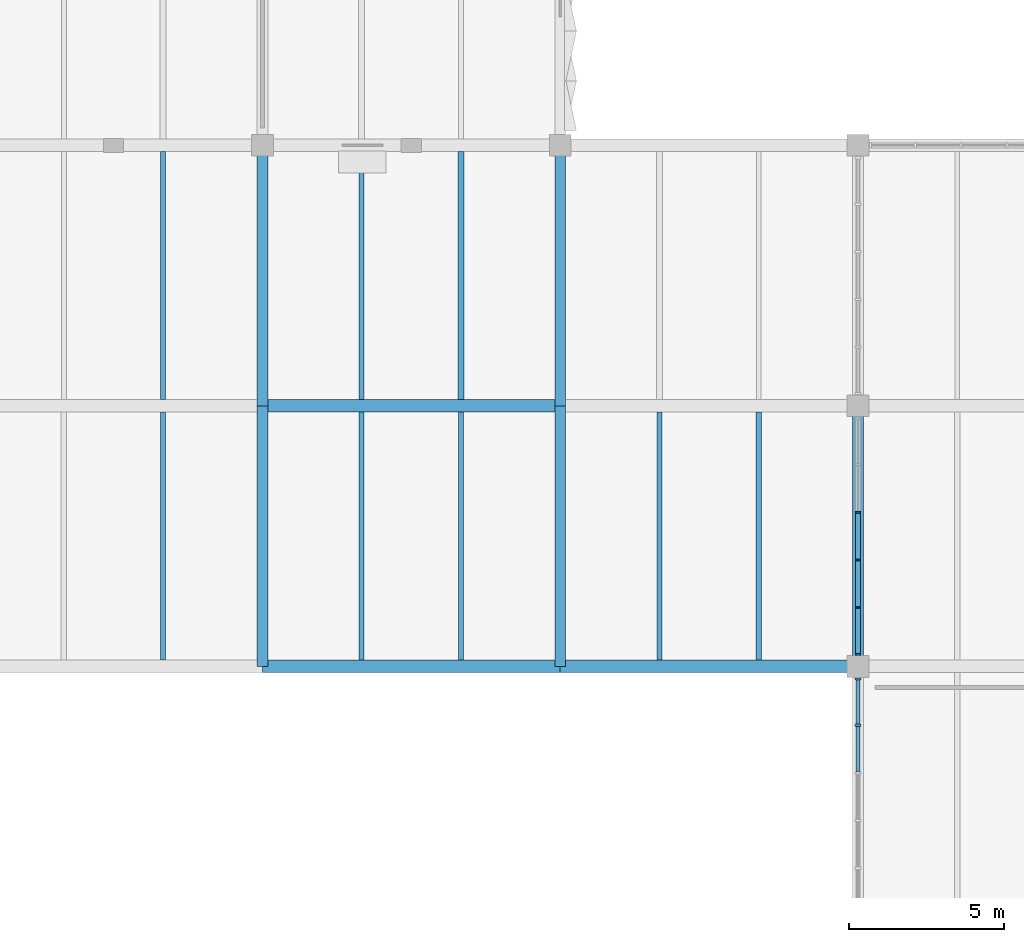
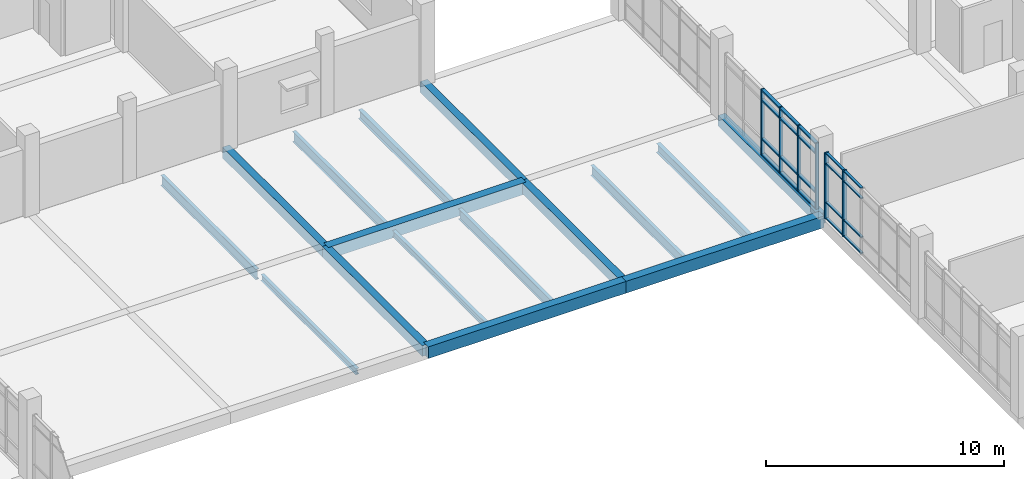
# One storey, part 16 of 57: 26 members, 16 beams, 2 elements without a shape of their own.
"""IFC4 building model written with IfcOpenShell, lengths in metres."""

from ifc_helpers import new_model, si_unit, direction, frame, origin, origin_2d, place, context, subcontext, project, spatial, rectangle, i_section, extrude, material, material_profile, profile_set, type_object, element, aggregate, save


model = new_model("IFC4")

# Units and contexts
model_context = context("Model", 3, precision=1e-05, world=origin(), true_north=direction((0.0, 1.0)))
body_context = subcontext(model_context, "Body", "Model", "MODEL_VIEW")
ifc_project = project(units=[si_unit("LENGTHUNIT", "METRE"), si_unit("AREAUNIT", "SQUARE_METRE"), si_unit("VOLUMEUNIT", "CUBIC_METRE"), si_unit("PLANEANGLEUNIT", "RADIAN"), si_unit("MASSUNIT", "GRAM", prefix="KILO")], contexts=[model_context])

# Site, building, storey
site_placement = place(None, origin())
site = spatial("IfcSite", under=ifc_project, at=site_placement, CompositionType="ELEMENT")
building_placement = place(site_placement, origin())
building = spatial("IfcBuilding", under=site, at=building_placement, Name="Oolite Switchyard Hospital", CompositionType="ELEMENT")
storey_placement = place(building_placement, frame((0.0, 0.0, 17.800048828125)))
storey = spatial("IfcBuildingStorey", under=building, at=storey_placement, Name="L04", CompositionType="ELEMENT", Elevation=17.800048828125)

# Beams
ifc_material_1 = material(Name="Concrete C40/50", Category="concrete")
ifc_material_profile_1 = material_profile(ifc_material_1, rectangle(XDim=0.35009765625, YDim=0.550048828125, at=origin_2d()), Name="RCB350X550")
ifc_profile_set_1 = profile_set([ifc_material_profile_1], Name="Concrete C40/50")
beam_type_1 = type_object("IfcBeamType", Name="BM-RC350X550", PredefinedType="BEAM", material=ifc_profile_set_1)
beam_1_placement = place(storey_placement, frame((163.199951171875, 58.800048828125, -0.275146484375), z_axis=(0.0, 1.0, 0.0), x_axis=(-1.0, 0.0, 0.0)))
element("IfcBeam", 1, at=beam_1_placement, inside=storey, type_object=beam_type_1, Name="L04 Y-Girder 3019", PredefinedType="BEAM", context=body_context, shape_type="SweptSolid", body=[
    extrude(rectangle(XDim=0.35009765625, YDim=0.550048828125, at=origin_2d()), origin(), (0.0, 0.0, 1.0), 8.39990234375),
])
beam_2_placement = place(storey_placement, frame((163.199951171875, 67.199951171875, -0.275146484375), z_axis=(0.0, 1.0, 0.0), x_axis=(-1.0, 0.0, 0.0)))
element("IfcBeam", 2, at=beam_2_placement, inside=storey, type_object=beam_type_1, Name="L04 Y-Girder 3020", PredefinedType="BEAM", context=body_context, shape_type="SweptSolid", body=[
    extrude(rectangle(XDim=0.35009765625, YDim=0.550048828125, at=origin_2d()), origin(), (0.0, 0.0, 1.0), 8.400146484375),
])
beam_3_placement = place(storey_placement, frame((172.800048828125, 58.800048828125, -0.275146484375), z_axis=(0.0, 1.0, 0.0), x_axis=(-1.0, 0.0, 0.0)))
element("IfcBeam", 3, at=beam_3_placement, inside=storey, type_object=beam_type_1, Name="L04 Y-Girder 3030", PredefinedType="BEAM", context=body_context, shape_type="SweptSolid", body=[
    extrude(rectangle(XDim=0.35009765625, YDim=0.550048828125, at=origin_2d()), origin(), (0.0, 0.0, 1.0), 8.39990234375),
])
beam_4_placement = place(storey_placement, frame((172.800048828125, 67.199951171875, -0.275146484375), z_axis=(0.0, 1.0, 0.0), x_axis=(-1.0, 0.0, 0.0)))
element("IfcBeam", 4, at=beam_4_placement, inside=storey, type_object=beam_type_1, Name="L04 Y-Girder 3031", PredefinedType="BEAM", context=body_context, shape_type="SweptSolid", body=[
    extrude(rectangle(XDim=0.35009765625, YDim=0.550048828125, at=origin_2d()), origin(), (0.0, 0.0, 1.0), 8.400146484375),
])
beam_5_placement = place(storey_placement, frame((182.39990234375, 58.800048828125, -0.275146484375), z_axis=(0.0, 1.0, 0.0), x_axis=(-1.0, 0.0, 0.0)))
element("IfcBeam", 5, at=beam_5_placement, inside=storey, type_object=beam_type_1, Name="L04 Y-Girder 3045", PredefinedType="BEAM", context=body_context, shape_type="SweptSolid", body=[
    extrude(rectangle(XDim=0.35009765625, YDim=0.550048828125, at=origin_2d()), origin(), (0.0, 0.0, 1.0), 8.39990234375),
])
ifc_material_profile_2 = material_profile(ifc_material_1, rectangle(XDim=0.39990234375, YDim=0.60009765625, at=origin_2d()), Name="RCB400X600")
ifc_profile_set_2 = profile_set([ifc_material_profile_2], Name="Concrete C40/50")
beam_type_2 = type_object("IfcBeamType", Name="BM-RC400X600", PredefinedType="BEAM", material=ifc_profile_set_2)
beam_6_placement = place(storey_placement, frame((163.199951171875, 58.800048828125, -0.300048828125), z_axis=(1.0, 0.0, 0.0), x_axis=(0.0, 1.0, 0.0)))
element("IfcBeam", 6, at=beam_6_placement, inside=storey, type_object=beam_type_2, Name="L04 X-Girder 2805", PredefinedType="BEAM", context=body_context, shape_type="SweptSolid", body=[
    extrude(rectangle(XDim=0.39990234375, YDim=0.60009765625, at=origin_2d()), origin(), (0.0, 0.0, 1.0), 9.60009765625),
])
beam_7_placement = place(storey_placement, frame((172.800048828125, 58.800048828125, -0.300048828125), z_axis=(1.0, 0.0, 0.0), x_axis=(0.0, 1.0, 0.0)))
element("IfcBeam", 7, at=beam_7_placement, inside=storey, type_object=beam_type_2, Name="L04 X-Girder 2806", PredefinedType="BEAM", context=body_context, shape_type="SweptSolid", body=[
    extrude(rectangle(XDim=0.39990234375, YDim=0.60009765625, at=origin_2d()), origin(), (0.0, 0.0, 1.0), 9.599853515625),
])
beam_8_placement = place(storey_placement, frame((163.199951171875, 67.199951171875, -0.300048828125), z_axis=(1.0, 0.0, 0.0), x_axis=(0.0, 1.0, 0.0)))
element("IfcBeam", 8, at=beam_8_placement, inside=storey, type_object=beam_type_2, Name="L04 X-Girder 2816", PredefinedType="BEAM", context=body_context, shape_type="SweptSolid", body=[
    extrude(rectangle(XDim=0.39990234375, YDim=0.60009765625, at=origin_2d()), origin(), (0.0, 0.0, 1.0), 9.60009765625),
])
ifc_material_2 = material(Name="Steel ASTM A992 Grade 50", Category="steel")
ifc_material_profile_3 = material_profile(ifc_material_2, i_section(OverallWidth=0.1650390625, OverallDepth=0.31005859375, WebThickness=0.006103515625, FlangeThickness=0.010009765625, at=origin_2d()), Name="W12X26")
ifc_profile_set_3 = profile_set([ifc_material_profile_3], Name="Steel ASTM A992 Grade 50")
beam_type_3 = type_object("IfcBeamType", Name="BM-W12X26", PredefinedType="JOIST", material=ifc_profile_set_3)
for number, where, z_axis, x_axis, name in (
    (9, (160.0, 59.0, -0.375), (0.0, 1.0, 0.0), (-1.0, 0.0, 0.0), "L04 Secondary Steel Joist 3220"),
    (10, (166.39990234375, 59.0, -0.375), (0.0, 1.0, 0.0), (-1.0, 0.0, 0.0), "L04 Secondary Steel Joist 3239"),
):
    element("IfcBeam", number, at=place(storey_placement, frame(where, z_axis=z_axis, x_axis=x_axis)), inside=storey, type_object=beam_type_3, Name=name, PredefinedType="JOIST", context=body_context, shape_type="SweptSolid", body=[
        extrude(i_section(OverallWidth=0.1650390625, OverallDepth=0.31005859375, WebThickness=0.006103515625, FlangeThickness=0.010009765625, at=origin_2d()), origin(), (0.0, 0.0, 1.0), 8.0),
    ])
ifc_material_profile_4 = material_profile(ifc_material_2, i_section(OverallWidth=0.19091796875, OverallDepth=0.4599609375, WebThickness=0.010009765625, FlangeThickness=0.01611328125, at=origin_2d()), Name="W18X55")
ifc_profile_set_4 = profile_set([ifc_material_profile_4], Name="Steel ASTM A992 Grade 50")
beam_type_4 = type_object("IfcBeamType", Name="BM-W18X55", PredefinedType="JOIST", material=ifc_profile_set_4)
for number, where, z_axis, x_axis, name in (
    (11, (169.60009765625, 67.39990234375, -0.449951171875), (0.0, 1.0, 0.0), (-1.0, 0.0, 0.0), "L04 Secondary Steel Joist 3242"),
    (12, (179.199951171875, 59.0, -0.449951171875), (0.0, 1.0, 0.0), (-1.0, 0.0, 0.0), "L04 Secondary Steel Joist 3260"),
):
    element("IfcBeam", number, at=place(storey_placement, frame(where, z_axis=z_axis, x_axis=x_axis)), inside=storey, type_object=beam_type_4, Name=name, PredefinedType="JOIST", context=body_context, shape_type="SweptSolid", body=[
        extrude(i_section(OverallWidth=0.19091796875, OverallDepth=0.4599609375, WebThickness=0.010009765625, FlangeThickness=0.01611328125, at=origin_2d()), origin(), (0.0, 0.0, 1.0), 8.0),
    ])
ifc_material_profile_5 = material_profile(ifc_material_2, i_section(OverallWidth=0.166015625, OverallDepth=0.529052734375, WebThickness=0.010009765625, FlangeThickness=0.013916015625, at=origin_2d()), Name="W21X50")
ifc_profile_set_5 = profile_set([ifc_material_profile_5], Name="Steel ASTM A992 Grade 50")
beam_type_5 = type_object("IfcBeamType", Name="BM-W21X50", PredefinedType="JOIST", material=ifc_profile_set_5)
for number, where, z_axis, x_axis, name in (
    (13, (160.0, 67.39990234375, -0.484130859375), (0.0, 1.0, 0.0), (-1.0, 0.0, 0.0), "L04 Secondary Steel Joist 3222"),
    (14, (169.60009765625, 59.0, -0.484130859375), (0.0, 1.0, 0.0), (-1.0, 0.0, 0.0), "L04 Secondary Steel Joist 3240"),
    (15, (166.39990234375, 67.39990234375, -0.484130859375), (0.0, 1.0, 0.0), (-1.0, 0.0, 0.0), "L04 Secondary Steel Joist 3241"),
    (16, (176.0, 59.0, -0.484130859375), (0.0, 1.0, 0.0), (-1.0, 0.0, 0.0), "L04 Secondary Steel Joist 3259"),
):
    element("IfcBeam", number, at=place(storey_placement, frame(where, z_axis=z_axis, x_axis=x_axis)), inside=storey, type_object=beam_type_5, Name=name, PredefinedType="JOIST", context=body_context, shape_type="SweptSolid", body=[
        extrude(i_section(OverallWidth=0.166015625, OverallDepth=0.529052734375, WebThickness=0.010009765625, FlangeThickness=0.013916015625, at=origin_2d()), origin(), (0.0, 0.0, 1.0), 8.0),
    ])

# Curtain wall, members
ifc_material_3 = material(Name="Thermally broken aluminum frame with laminated impact glazing", Category="aluminium")
curtain_wall_type = type_object("IfcCurtainWallType", Name="CW-UNIT-84X42", PredefinedType="USERDEFINED", material=ifc_material_3)
curtain_wall_1_placement = place(storey_placement, origin())
curtain_wall_1 = element("IfcCurtainWall", 17, at=curtain_wall_1_placement, inside=storey, type_object=curtain_wall_type, Name="L04 Unitised Curtain Wall 377", ObjectType="UNITISED", PredefinedType="USERDEFINED")
ifc_material_4 = material(Name="Aluminium 6063-T6", Category="aluminium")
ifc_material_profile_6 = material_profile(ifc_material_4, rectangle(XDim=0.159912109375, YDim=0.06005859375, at=origin_2d()), Name="CWM60X160")
ifc_profile_set_6 = profile_set([ifc_material_profile_6], Name="Aluminium 6063-T6")
member_type_1 = type_object("IfcMemberType", Name="CW-MUL-180", PredefinedType="MULLION", material=ifc_profile_set_6)
member_1_placement = place(storey_placement, frame((182.39990234375, 59.195068359375, 0.0), z_axis=(0.0, 0.0, 1.0), x_axis=(-1.0, 0.0, 0.0)))
member_1 = element("IfcMember", 18, at=member_1_placement, type_object=member_type_1, Name="CW-10 mullion 1", PredefinedType="MULLION", context=body_context, shape_type="SweptSolid", body=[
    extrude(rectangle(XDim=0.159912109375, YDim=0.06005859375, at=origin_2d()), origin(), (0.0, 0.0, 1.0), 3.389892578125),
])
member_2_placement = place(storey_placement, frame((182.39990234375, 60.698974609375, 0.0), z_axis=(0.0, 0.0, 1.0), x_axis=(-1.0, 0.0, 0.0)))
member_2 = element("IfcMember", 19, at=member_2_placement, type_object=member_type_1, Name="CW-10 mullion 2", PredefinedType="MULLION", context=body_context, shape_type="SweptSolid", body=[
    extrude(rectangle(XDim=0.159912109375, YDim=0.06005859375, at=origin_2d()), origin(), (0.0, 0.0, 1.0), 3.389892578125),
])
member_3_placement = place(storey_placement, frame((182.39990234375, 62.23291015625, 0.0), z_axis=(0.0, 0.0, 1.0), x_axis=(-1.0, 0.0, 0.0)))
member_3 = element("IfcMember", 20, at=member_3_placement, type_object=member_type_1, Name="CW-10 mullion 3", PredefinedType="MULLION", context=body_context, shape_type="SweptSolid", body=[
    extrude(rectangle(XDim=0.159912109375, YDim=0.06005859375, at=origin_2d()), origin(), (0.0, 0.0, 1.0), 3.389892578125),
])
member_4_placement = place(storey_placement, frame((182.39990234375, 63.76708984375, 0.0), z_axis=(0.0, 0.0, 1.0), x_axis=(-1.0, 0.0, 0.0)))
member_4 = element("IfcMember", 21, at=member_4_placement, type_object=member_type_1, Name="CW-10 mullion 4", PredefinedType="MULLION", context=body_context, shape_type="SweptSolid", body=[
    extrude(rectangle(XDim=0.159912109375, YDim=0.06005859375, at=origin_2d()), origin(), (0.0, 0.0, 1.0), 3.389892578125),
])

curtain_wall_2_placement = place(storey_placement, origin())
curtain_wall_2 = element("IfcCurtainWall", 22, at=curtain_wall_2_placement, inside=storey, type_object=curtain_wall_type, Name="L04 Unitised Curtain Wall 376", ObjectType="UNITISED", PredefinedType="USERDEFINED")
ifc_material_profile_7 = material_profile(ifc_material_4, rectangle(XDim=0.199951171875, YDim=0.074951171875, at=origin_2d()), Name="CWM75X200")
ifc_profile_set_7 = profile_set([ifc_material_profile_7], Name="Aluminium 6063-T6")
member_type_2 = type_object("IfcMemberType", Name="CW-MUL-260", PredefinedType="MULLION", material=ifc_profile_set_7)
member_5_placement = place(storey_placement, frame((182.39990234375, 56.90087890625, 0.0), z_axis=(0.0, 0.0, 1.0), x_axis=(-1.0, 0.0, 0.0)))
member_5 = element("IfcMember", 23, at=member_5_placement, type_object=member_type_2, Name="CW-10 mullion 5", PredefinedType="MULLION", context=body_context, shape_type="SweptSolid", body=[
    extrude(rectangle(XDim=0.199951171875, YDim=0.074951171875, at=origin_2d()), origin(), (0.0, 0.0, 1.0), 3.389892578125),
])
member_6_placement = place(storey_placement, frame((182.39990234375, 58.3974609375, 0.0), z_axis=(0.0, 0.0, 1.0), x_axis=(-1.0, 0.0, 0.0)))
member_6 = element("IfcMember", 24, at=member_6_placement, type_object=member_type_2, Name="CW-10 mullion 6", PredefinedType="MULLION", context=body_context, shape_type="SweptSolid", body=[
    extrude(rectangle(XDim=0.199951171875, YDim=0.074951171875, at=origin_2d()), origin(), (0.0, 0.0, 1.0), 3.389892578125),
])
ifc_material_profile_8 = material_profile(ifc_material_4, rectangle(XDim=0.1201171875, YDim=0.06005859375, at=origin_2d()), Name="CWT60X120")
ifc_profile_set_8 = profile_set([ifc_material_profile_8], Name="Aluminium 6063-T6")
member_type_3 = type_object("IfcMemberType", Name="CW-TRN-150", PredefinedType="USERDEFINED", material=ifc_profile_set_8)
member_7_placement = place(storey_placement, frame((182.39990234375, 55.404541015625, 0.030029296875), z_axis=(0.0, 1.0, 0.0), x_axis=(-1.0, 0.0, 0.0)))
member_7 = element("IfcMember", 25, at=member_7_placement, type_object=member_type_3, Name="CW-10 transom 4.1", ObjectType="TRANSOM", PredefinedType="USERDEFINED", context=body_context, shape_type="SweptSolid", body=[
    extrude(rectangle(XDim=0.1201171875, YDim=0.06005859375, at=origin_2d()), origin(), (0.0, 0.0, 1.0), 1.458984375),
])
member_8_placement = place(storey_placement, frame((182.39990234375, 55.404541015625, 0.849853515625), z_axis=(0.0, 1.0, 0.0), x_axis=(-1.0, 0.0, 0.0)))
member_8 = element("IfcMember", 26, at=member_8_placement, type_object=member_type_3, Name="CW-10 transom 4.2", ObjectType="TRANSOM", PredefinedType="USERDEFINED", context=body_context, shape_type="SweptSolid", body=[
    extrude(rectangle(XDim=0.1201171875, YDim=0.06005859375, at=origin_2d()), origin(), (0.0, 0.0, 1.0), 1.458984375),
])
member_9_placement = place(storey_placement, frame((182.39990234375, 55.404541015625, 2.83984375), z_axis=(0.0, 1.0, 0.0), x_axis=(-1.0, 0.0, 0.0)))
member_9 = element("IfcMember", 27, at=member_9_placement, type_object=member_type_3, Name="CW-10 transom 4.3", ObjectType="TRANSOM", PredefinedType="USERDEFINED", context=body_context, shape_type="SweptSolid", body=[
    extrude(rectangle(XDim=0.1201171875, YDim=0.06005859375, at=origin_2d()), origin(), (0.0, 0.0, 1.0), 1.458984375),
])
member_10_placement = place(storey_placement, frame((182.39990234375, 55.404541015625, 3.35986328125), z_axis=(0.0, 1.0, 0.0), x_axis=(-1.0, 0.0, 0.0)))
member_10 = element("IfcMember", 28, at=member_10_placement, type_object=member_type_3, Name="CW-10 transom 4.4", ObjectType="TRANSOM", PredefinedType="USERDEFINED", context=body_context, shape_type="SweptSolid", body=[
    extrude(rectangle(XDim=0.1201171875, YDim=0.06005859375, at=origin_2d()), origin(), (0.0, 0.0, 1.0), 1.458984375),
])
member_11_placement = place(storey_placement, frame((182.39990234375, 56.9384765625, 0.030029296875), z_axis=(0.0, 1.0, 0.0), x_axis=(-1.0, 0.0, 0.0)))
member_11 = element("IfcMember", 29, at=member_11_placement, type_object=member_type_3, Name="CW-10 transom 5.1", ObjectType="TRANSOM", PredefinedType="USERDEFINED", context=body_context, shape_type="SweptSolid", body=[
    extrude(rectangle(XDim=0.1201171875, YDim=0.06005859375, at=origin_2d()), origin(), (0.0, 0.0, 1.0), 1.421630859375),
])
member_12_placement = place(storey_placement, frame((182.39990234375, 56.9384765625, 0.849853515625), z_axis=(0.0, 1.0, 0.0), x_axis=(-1.0, 0.0, 0.0)))
member_12 = element("IfcMember", 30, at=member_12_placement, type_object=member_type_3, Name="CW-10 transom 5.2", ObjectType="TRANSOM", PredefinedType="USERDEFINED", context=body_context, shape_type="SweptSolid", body=[
    extrude(rectangle(XDim=0.1201171875, YDim=0.06005859375, at=origin_2d()), origin(), (0.0, 0.0, 1.0), 1.421630859375),
])
member_13_placement = place(storey_placement, frame((182.39990234375, 56.9384765625, 2.83984375), z_axis=(0.0, 1.0, 0.0), x_axis=(-1.0, 0.0, 0.0)))
member_13 = element("IfcMember", 31, at=member_13_placement, type_object=member_type_3, Name="CW-10 transom 5.3", ObjectType="TRANSOM", PredefinedType="USERDEFINED", context=body_context, shape_type="SweptSolid", body=[
    extrude(rectangle(XDim=0.1201171875, YDim=0.06005859375, at=origin_2d()), origin(), (0.0, 0.0, 1.0), 1.421630859375),
])
member_14_placement = place(storey_placement, frame((182.39990234375, 56.9384765625, 3.35986328125), z_axis=(0.0, 1.0, 0.0), x_axis=(-1.0, 0.0, 0.0)))
member_14 = element("IfcMember", 32, at=member_14_placement, type_object=member_type_3, Name="CW-10 transom 5.4", ObjectType="TRANSOM", PredefinedType="USERDEFINED", context=body_context, shape_type="SweptSolid", body=[
    extrude(rectangle(XDim=0.1201171875, YDim=0.06005859375, at=origin_2d()), origin(), (0.0, 0.0, 1.0), 1.421630859375),
])
aggregate(curtain_wall_2, [member_5, member_6, member_7, member_8, member_9, member_10, member_11, member_12, member_13, member_14])

# Member
ifc_material_profile_9 = material_profile(ifc_material_4, rectangle(XDim=0.159912109375, YDim=0.074951171875, at=origin_2d()), Name="CWT75X160")
ifc_profile_set_9 = profile_set([ifc_material_profile_9], Name="Aluminium 6063-T6")
member_type_4 = type_object("IfcMemberType", Name="CW-TRN-180", PredefinedType="USERDEFINED", material=ifc_profile_set_9)
member_15_placement = place(storey_placement, frame((182.39990234375, 59.22509765625, 0.037353515625), z_axis=(0.0, 1.0, 0.0), x_axis=(-1.0, 0.0, 0.0)))
member_15 = element("IfcMember", 33, at=member_15_placement, type_object=member_type_4, Name="CW-10 transom 1.1", ObjectType="TRANSOM", PredefinedType="USERDEFINED", context=body_context, shape_type="SweptSolid", body=[
    extrude(rectangle(XDim=0.159912109375, YDim=0.074951171875, at=origin_2d()), origin(), (0.0, 0.0, 1.0), 1.44384765625),
])

member_16_placement = place(storey_placement, frame((182.39990234375, 59.22509765625, 0.849853515625), z_axis=(0.0, 1.0, 0.0), x_axis=(-1.0, 0.0, 0.0)))
member_16 = element("IfcMember", 34, at=member_16_placement, type_object=member_type_4, Name="CW-10 transom 1.2", ObjectType="TRANSOM", PredefinedType="USERDEFINED", context=body_context, shape_type="SweptSolid", body=[
    extrude(rectangle(XDim=0.159912109375, YDim=0.074951171875, at=origin_2d()), origin(), (0.0, 0.0, 1.0), 1.44384765625),
])

member_17_placement = place(storey_placement, frame((182.39990234375, 59.22509765625, 2.83984375), z_axis=(0.0, 1.0, 0.0), x_axis=(-1.0, 0.0, 0.0)))
member_17 = element("IfcMember", 35, at=member_17_placement, type_object=member_type_4, Name="CW-10 transom 1.3", ObjectType="TRANSOM", PredefinedType="USERDEFINED", context=body_context, shape_type="SweptSolid", body=[
    extrude(rectangle(XDim=0.159912109375, YDim=0.074951171875, at=origin_2d()), origin(), (0.0, 0.0, 1.0), 1.44384765625),
])

member_18_placement = place(storey_placement, frame((182.39990234375, 59.22509765625, 3.3525390625), z_axis=(0.0, 1.0, 0.0), x_axis=(-1.0, 0.0, 0.0)))
member_18 = element("IfcMember", 36, at=member_18_placement, type_object=member_type_4, Name="CW-10 transom 1.4", ObjectType="TRANSOM", PredefinedType="USERDEFINED", context=body_context, shape_type="SweptSolid", body=[
    extrude(rectangle(XDim=0.159912109375, YDim=0.074951171875, at=origin_2d()), origin(), (0.0, 0.0, 1.0), 1.44384765625),
])

member_19_placement = place(storey_placement, frame((182.39990234375, 60.72900390625, 0.037353515625), z_axis=(0.0, 1.0, 0.0), x_axis=(-1.0, 0.0, 0.0)))
member_19 = element("IfcMember", 37, at=member_19_placement, type_object=member_type_4, Name="CW-10 transom 2.1", ObjectType="TRANSOM", PredefinedType="USERDEFINED", context=body_context, shape_type="SweptSolid", body=[
    extrude(rectangle(XDim=0.159912109375, YDim=0.074951171875, at=origin_2d()), origin(), (0.0, 0.0, 1.0), 1.473876953125),
])

member_20_placement = place(storey_placement, frame((182.39990234375, 60.72900390625, 0.849853515625), z_axis=(0.0, 1.0, 0.0), x_axis=(-1.0, 0.0, 0.0)))
member_20 = element("IfcMember", 38, at=member_20_placement, type_object=member_type_4, Name="CW-10 transom 2.2", ObjectType="TRANSOM", PredefinedType="USERDEFINED", context=body_context, shape_type="SweptSolid", body=[
    extrude(rectangle(XDim=0.159912109375, YDim=0.074951171875, at=origin_2d()), origin(), (0.0, 0.0, 1.0), 1.473876953125),
])

member_21_placement = place(storey_placement, frame((182.39990234375, 60.72900390625, 2.83984375), z_axis=(0.0, 1.0, 0.0), x_axis=(-1.0, 0.0, 0.0)))
member_21 = element("IfcMember", 39, at=member_21_placement, type_object=member_type_4, Name="CW-10 transom 2.3", ObjectType="TRANSOM", PredefinedType="USERDEFINED", context=body_context, shape_type="SweptSolid", body=[
    extrude(rectangle(XDim=0.159912109375, YDim=0.074951171875, at=origin_2d()), origin(), (0.0, 0.0, 1.0), 1.473876953125),
])

member_22_placement = place(storey_placement, frame((182.39990234375, 60.72900390625, 3.3525390625), z_axis=(0.0, 1.0, 0.0), x_axis=(-1.0, 0.0, 0.0)))
member_22 = element("IfcMember", 40, at=member_22_placement, type_object=member_type_4, Name="CW-10 transom 2.4", ObjectType="TRANSOM", PredefinedType="USERDEFINED", context=body_context, shape_type="SweptSolid", body=[
    extrude(rectangle(XDim=0.159912109375, YDim=0.074951171875, at=origin_2d()), origin(), (0.0, 0.0, 1.0), 1.473876953125),
])

member_23_placement = place(storey_placement, frame((182.39990234375, 62.262939453125, 0.037353515625), z_axis=(0.0, 1.0, 0.0), x_axis=(-1.0, 0.0, 0.0)))
member_23 = element("IfcMember", 41, at=member_23_placement, type_object=member_type_4, Name="CW-10 transom 3.1", ObjectType="TRANSOM", PredefinedType="USERDEFINED", context=body_context, shape_type="SweptSolid", body=[
    extrude(rectangle(XDim=0.159912109375, YDim=0.074951171875, at=origin_2d()), origin(), (0.0, 0.0, 1.0), 1.47412109375),
])

member_24_placement = place(storey_placement, frame((182.39990234375, 62.262939453125, 0.849853515625), z_axis=(0.0, 1.0, 0.0), x_axis=(-1.0, 0.0, 0.0)))
member_24 = element("IfcMember", 42, at=member_24_placement, type_object=member_type_4, Name="CW-10 transom 3.2", ObjectType="TRANSOM", PredefinedType="USERDEFINED", context=body_context, shape_type="SweptSolid", body=[
    extrude(rectangle(XDim=0.159912109375, YDim=0.074951171875, at=origin_2d()), origin(), (0.0, 0.0, 1.0), 1.47412109375),
])

member_25_placement = place(storey_placement, frame((182.39990234375, 62.262939453125, 2.83984375), z_axis=(0.0, 1.0, 0.0), x_axis=(-1.0, 0.0, 0.0)))
member_25 = element("IfcMember", 43, at=member_25_placement, type_object=member_type_4, Name="CW-10 transom 3.3", ObjectType="TRANSOM", PredefinedType="USERDEFINED", context=body_context, shape_type="SweptSolid", body=[
    extrude(rectangle(XDim=0.159912109375, YDim=0.074951171875, at=origin_2d()), origin(), (0.0, 0.0, 1.0), 1.47412109375),
])

member_26_placement = place(storey_placement, frame((182.39990234375, 62.262939453125, 3.3525390625), z_axis=(0.0, 1.0, 0.0), x_axis=(-1.0, 0.0, 0.0)))
member_26 = element("IfcMember", 44, at=member_26_placement, type_object=member_type_4, Name="CW-10 transom 3.4", ObjectType="TRANSOM", PredefinedType="USERDEFINED", context=body_context, shape_type="SweptSolid", body=[
    extrude(rectangle(XDim=0.159912109375, YDim=0.074951171875, at=origin_2d()), origin(), (0.0, 0.0, 1.0), 1.47412109375),
])

aggregate(curtain_wall_1, [member_1, member_2, member_3, member_4, member_15, member_16, member_17, member_18, member_19, member_20, member_21, member_22, member_23, member_24, member_25, member_26])

save(model, "model.ifc")
